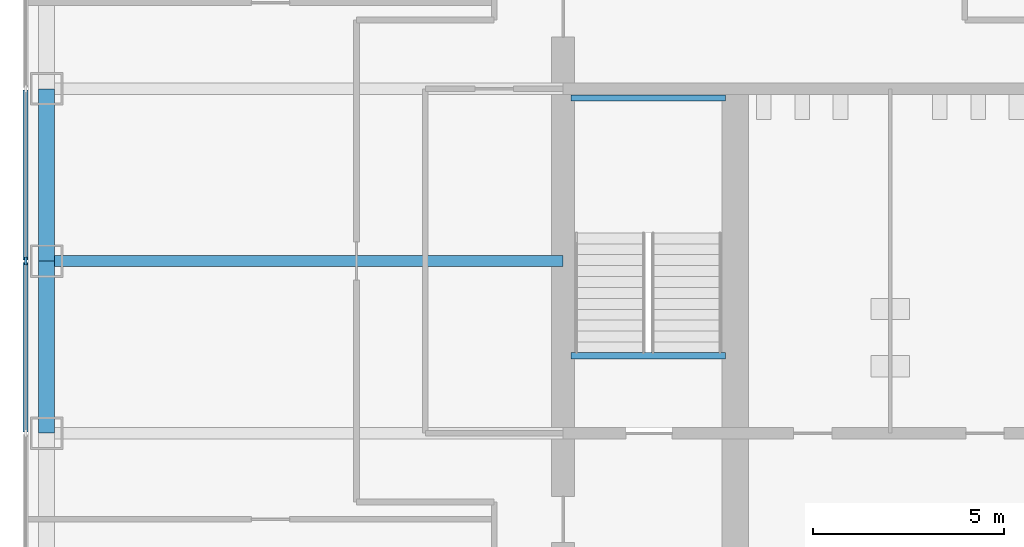
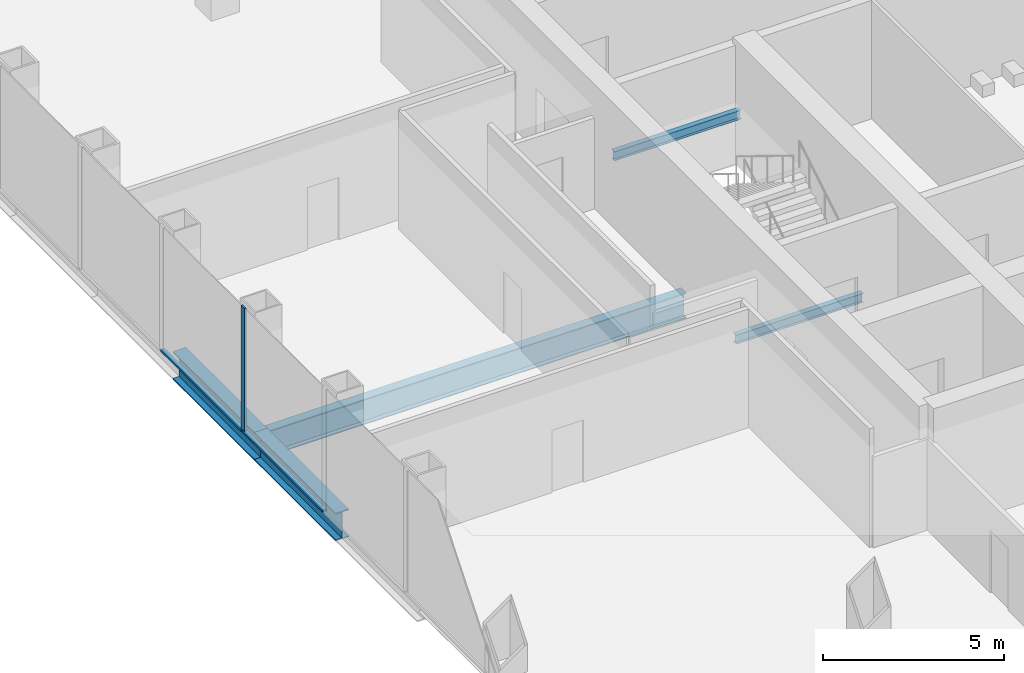
# One storey, part 3 of 12: 5 beams, 3 members, 1 element without a shape of its own.
"""IFC4 building model written with IfcOpenShell, lengths in metres."""

from ifc_helpers import new_model, si_unit, direction, frame, origin, origin_2d, place, context, subcontext, project, spatial, rectangle, i_section, extrude, material, material_profile, profile_set, type_object, element, aggregate, save


model = new_model("IFC4")

# Units and contexts
model_context = context("Model", 3, precision=1e-05, world=origin(), true_north=direction((0.0, 1.0)))
body_context = subcontext(model_context, "Body", "Model", "MODEL_VIEW")
ifc_project = project(units=[si_unit("LENGTHUNIT", "METRE"), si_unit("AREAUNIT", "SQUARE_METRE"), si_unit("VOLUMEUNIT", "CUBIC_METRE"), si_unit("PLANEANGLEUNIT", "RADIAN"), si_unit("MASSUNIT", "GRAM", prefix="KILO")], contexts=[model_context])

# Site, building, storey
site_placement = place(None, origin())
site = spatial("IfcSite", under=ifc_project, at=site_placement, CompositionType="ELEMENT")
building_placement = place(site_placement, origin())
building = spatial("IfcBuilding", under=site, at=building_placement, Name="Corais Broadcast Tower", CompositionType="ELEMENT")
storey_placement = place(building_placement, frame((0.0, 0.0, 100.39990234375)))
storey = spatial("IfcBuildingStorey", under=building, at=storey_placement, Name="L22", CompositionType="ELEMENT", Elevation=100.39990234375)

# Beams
ifc_material_1 = material(Name="Steel ASTM A572 Grade 50", Category="steel")
ifc_material_profile_1 = material_profile(ifc_material_1, i_section(OverallWidth=0.2939453125, OverallDepth=0.85107421875, WebThickness=0.01611328125, FlangeThickness=0.02685546875, at=origin_2d()), Name="W840x226")
ifc_profile_set_1 = profile_set([ifc_material_profile_1], Name="Steel ASTM A572 Grade 50")
beam_type_1 = type_object("IfcBeamType", Name="Floor beam W840x226", PredefinedType="BEAM", material=ifc_profile_set_1)
beam_placement = place(storey_placement, frame((0.0, 27.0, -0.58544921875), z_axis=(1.0, 0.0, 0.0), x_axis=(0.0, 1.0, 0.0)))
element("IfcBeam", 1, at=beam_placement, inside=storey, type_object=beam_type_1, Name="B1 G/3 to G/6", PredefinedType="BEAM", context=body_context, shape_type="SweptSolid", body=[
    extrude(i_section(OverallWidth=0.2939453125, OverallDepth=0.85107421875, WebThickness=0.01611328125, FlangeThickness=0.02685546875, at=origin_2d()), origin(), (0.0, 0.0, 1.0), 13.5),
])
ifc_material_2 = material(Name="Steel ASTM A572 Grade 50", Category="steel")
ifc_material_profile_2 = material_profile(ifc_material_2, i_section(OverallWidth=0.1650390625, OverallDepth=0.31005859375, WebThickness=0.005859375, FlangeThickness=0.009765625, at=origin_2d()), Name="W310x38.7")
ifc_profile_set_2 = profile_set([ifc_material_profile_2], Name="Steel ASTM A572 Grade 50")
beam_type_2 = type_object("IfcBeamType", Name="Landing trimmer W310x38.7", PredefinedType="BEAM", material=ifc_profile_set_2)
for number, where, z_axis, x_axis, name in (
    (2, (13.699951171875, 24.52490234375, -0.35498046875), (1.0, 0.0, 0.0), (0.0, 1.0, 0.0), "LT1 stair A landing trimmer L22"),
    (3, (13.699951171875, 31.260009765625, 1.7451171875), (1.0, 0.0, 0.0), (0.0, 1.0, 0.0), "LT1 stair A half landing trimmer L22"),
):
    element("IfcBeam", number, at=place(storey_placement, frame(where, z_axis=z_axis, x_axis=x_axis)), inside=storey, type_object=beam_type_2, Name=name, PredefinedType="BEAM", context=body_context, shape_type="SweptSolid", body=[
        extrude(i_section(OverallWidth=0.1650390625, OverallDepth=0.31005859375, WebThickness=0.005859375, FlangeThickness=0.009765625, at=origin_2d()), origin(), (0.0, 0.0, 1.0), 4.050048828125),
    ])

# Curtain wall, member
ifc_material_3 = material(Name="Aluminium and glass", Category="aluminium")
curtain_wall_type = type_object("IfcCurtainWallType", Name="Unitised fritted curtain wall CW1", PredefinedType="NOTDEFINED", material=ifc_material_3)
curtain_wall_placement = place(storey_placement, origin())
curtain_wall = element("IfcCurtainWall", 4, at=curtain_wall_placement, inside=storey, type_object=curtain_wall_type, Name="CW1 curtain wall L22 2", PredefinedType="NOTDEFINED")
ifc_material_4 = material(Name="Aluminium 6063-T6", Category="aluminium")
ifc_material_profile_3 = material_profile(ifc_material_4, rectangle(XDim=0.06494140625, YDim=0.199951171875, at=origin_2d()), Name="Mullion CW1 65x200")
ifc_profile_set_3 = profile_set([ifc_material_profile_3], Name="Aluminium 6063-T6")
member_type_1 = type_object("IfcMemberType", Name="Mullion CW1 65x200", PredefinedType="MULLION", material=ifc_profile_set_3)
member_1_placement = place(storey_placement, frame((-0.550048828125, 27.0, 0.0), z_axis=(0.0, 0.0, 1.0), x_axis=(-1.0, 0.0, 0.0)))
member_1 = element("IfcMember", 5, at=member_1_placement, type_object=member_type_1, Name="CW1 mullion 6", PredefinedType="MULLION", context=body_context, shape_type="SweptSolid", body=[
    extrude(rectangle(XDim=0.06494140625, YDim=0.199951171875, at=origin_2d()), origin(), (0.0, 0.0, 1.0), 4.2001953125),
])

# Beams
ifc_material_5 = material(Name="Steel ASTM A572 Grade 50", Category="steel")
ifc_material_profile_4 = material_profile(ifc_material_5, i_section(OverallWidth=0.4189453125, OverallDepth=0.94189453125, WebThickness=0.022216796875, FlangeThickness=0.03662109375, at=origin_2d()), Name="W920x345")
ifc_profile_set_4 = profile_set([ifc_material_profile_4], Name="Steel ASTM A572 Grade 50")
beam_type_3 = type_object("IfcBeamType", Name="Transfer spandrel W920x345", PredefinedType="BEAM", material=ifc_profile_set_4)
for number, where, z_axis, x_axis, name in (
    (6, (0.0, 27.0, -0.630859375), (0.0, -1.0, 0.0), (1.0, 0.0, 0.0), "SB4 G/3 to F/3"),
    (7, (0.0, 31.5, -0.630859375), (0.0, -1.0, 0.0), (1.0, 0.0, 0.0), "SB4 H/3 to G/3"),
):
    element("IfcBeam", number, at=place(storey_placement, frame(where, z_axis=z_axis, x_axis=x_axis)), inside=storey, type_object=beam_type_3, Name=name, PredefinedType="BEAM", context=body_context, shape_type="SweptSolid", body=[
        extrude(i_section(OverallWidth=0.4189453125, OverallDepth=0.94189453125, WebThickness=0.022216796875, FlangeThickness=0.03662109375, at=origin_2d()), origin(), (0.0, 0.0, 1.0), 4.5),
    ])

# Member
ifc_material_6 = material(Name="Aluminium 6063-T6", Category="aluminium")
ifc_material_profile_5 = material_profile(ifc_material_6, rectangle(XDim=0.139892578125, YDim=0.06494140625, at=origin_2d()), Name="Transom CW1 65x140")
ifc_profile_set_5 = profile_set([ifc_material_profile_5], Name="Aluminium 6063-T6")
member_type_2 = type_object("IfcMemberType", Name="Transom CW1 65x140", PredefinedType="USERDEFINED", material=ifc_profile_set_5)
member_2_placement = place(storey_placement, frame((-0.550048828125, 22.532470703125, 0.03271484375), z_axis=(0.0, 1.0, 0.0), x_axis=(-1.0, 0.0, 0.0)))
member_2 = element("IfcMember", 8, at=member_2_placement, type_object=member_type_2, Name="CW1 transom 5.1", ObjectType="TRANSOM", PredefinedType="USERDEFINED", context=body_context, shape_type="SweptSolid", body=[
    extrude(rectangle(XDim=0.139892578125, YDim=0.06494140625, at=origin_2d()), origin(), (0.0, 0.0, 1.0), 4.43505859375),
])

member_3_placement = place(storey_placement, frame((-0.550048828125, 27.032470703125, 0.03271484375), z_axis=(0.0, 1.0, 0.0), x_axis=(-1.0, 0.0, 0.0)))
member_3 = element("IfcMember", 9, at=member_3_placement, type_object=member_type_2, Name="CW1 transom 6.1", ObjectType="TRANSOM", PredefinedType="USERDEFINED", context=body_context, shape_type="SweptSolid", body=[
    extrude(rectangle(XDim=0.139892578125, YDim=0.06494140625, at=origin_2d()), origin(), (0.0, 0.0, 1.0), 4.43505859375),
])

aggregate(curtain_wall, [member_1, member_2, member_3])

save(model, "model.ifc")
